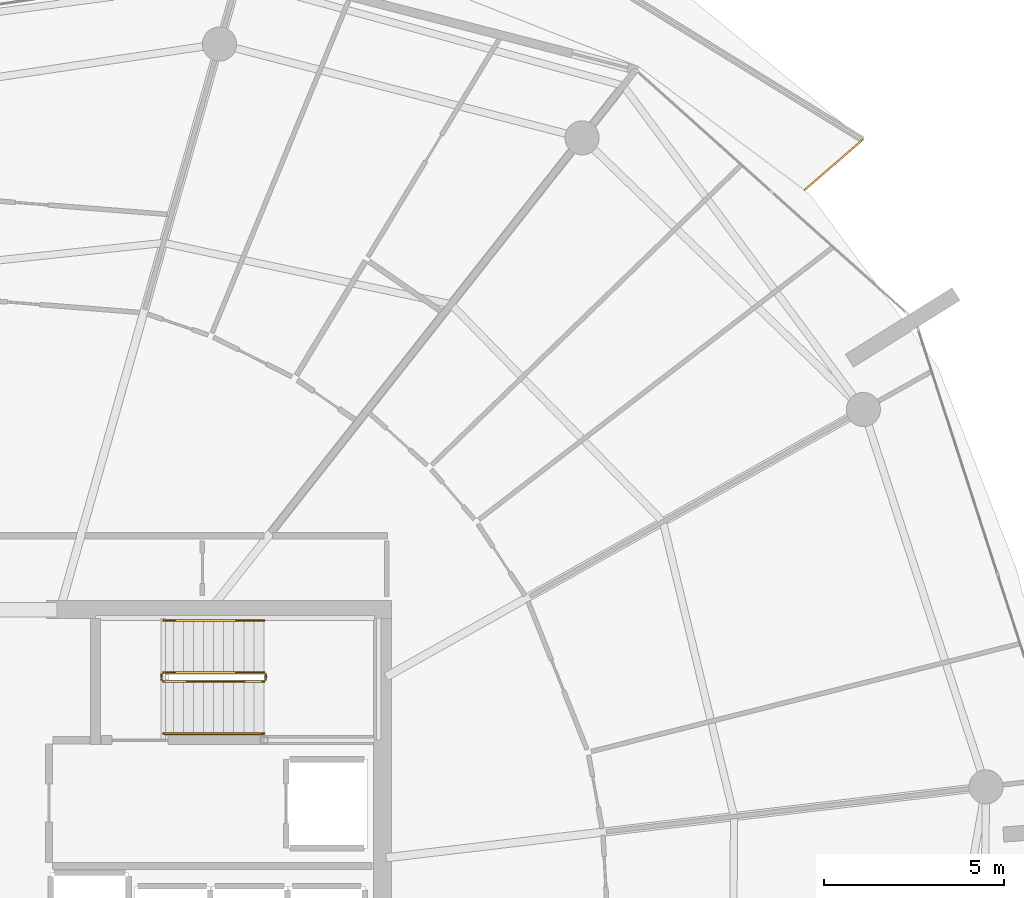
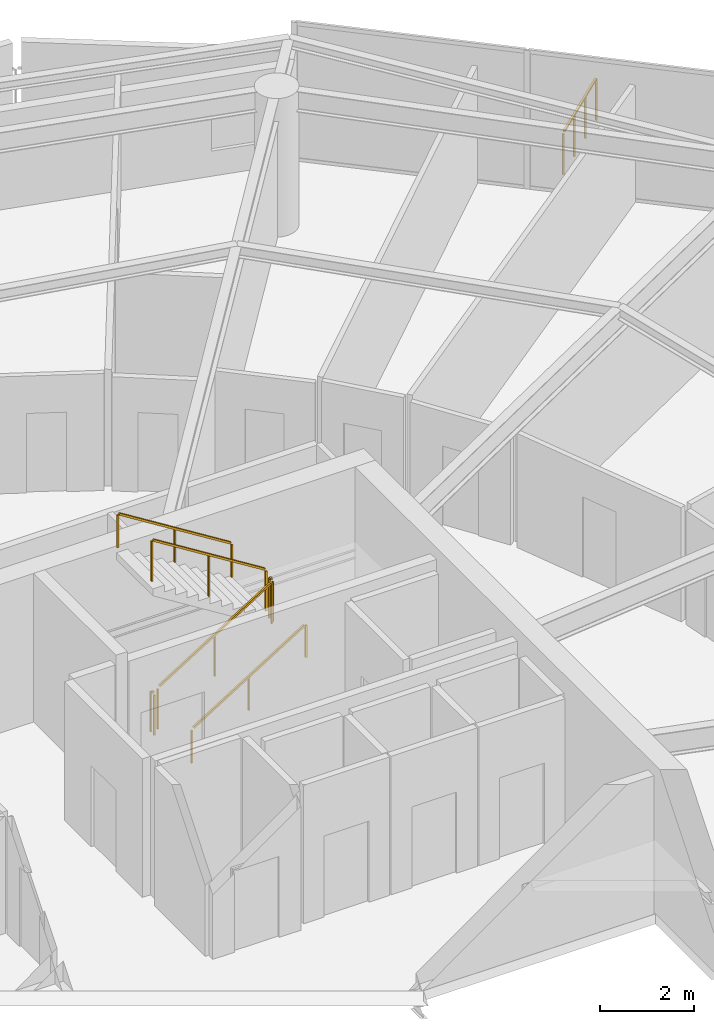
# One storey, part 28 of 29: 7 railings.
"""IFC4 building model written with IfcOpenShell, lengths in metres."""

from ifc_helpers import new_model, si_unit, direction, frame, origin, origin_2d, place, context, subcontext, project, spatial, rectangle, extrude, material, type_object, element, save


model = new_model("IFC4")

# Units and contexts
model_context = context("Model", 3, precision=1e-05, world=origin(), true_north=direction((0.0, 1.0)))
body_context = subcontext(model_context, "Body", "Model", "MODEL_VIEW")
ifc_project = project(units=[si_unit("LENGTHUNIT", "METRE"), si_unit("AREAUNIT", "SQUARE_METRE"), si_unit("VOLUMEUNIT", "CUBIC_METRE"), si_unit("PLANEANGLEUNIT", "RADIAN"), si_unit("MASSUNIT", "GRAM", prefix="KILO")], contexts=[model_context])

# Site, building, storey
site_placement = place(None, origin())
site = spatial("IfcSite", under=ifc_project, at=site_placement, CompositionType="ELEMENT")
building_placement = place(site_placement, origin())
building = spatial("IfcBuilding", under=site, at=building_placement, Name="Kazma Halo Residences", CompositionType="ELEMENT")
storey_placement = place(building_placement, frame((0.0, 0.0, 286.75)))
storey = spatial("IfcBuildingStorey", under=building, at=storey_placement, Name="L72", CompositionType="ELEMENT", Elevation=286.75)

# Railings
ifc_material_1 = material(Name="Aluminium AW-6063 T6 Brushed Cap Rail", Category="aluminium")
railing_type_1 = type_object("IfcRailingType", Name="RLG-BAL-CAP-1120", PredefinedType="BALUSTRADE", material=ifc_material_1)
railing_1_placement = place(storey_placement, frame((71.0400390625, 61.9228515625, 0.0)))
element("IfcRailing", 1, at=railing_1_placement, inside=storey, type_object=railing_type_1, Name="L72 NE wave balcony guard 1", PredefinedType="BALUSTRADE", context=body_context, shape_type="SweptSolid", body=[
    extrude(rectangle(XDim=0.050048828125, YDim=0.050048828125, at=origin_2d()), frame((0.0322265625, 0.02783203125, 1.09521484375), z_axis=(0.756418334569, 0.654088146299, 0.0), x_axis=(-0.654088146299, 0.756418334569, 0.0)), (0.0, 0.0, 1.0), 2.04541015625),
    extrude(rectangle(XDim=0.0400390625, YDim=0.0400390625, at=origin_2d()), origin(), (0.0, 0.0, 1.0), 1.05810546875),
    extrude(rectangle(XDim=0.0400390625, YDim=0.0400390625, at=origin_2d()), frame((0.537109375, 0.464599609375, 0.0)), (0.0, 0.0, 1.0), 1.05810546875),
    extrude(rectangle(XDim=0.0400390625, YDim=0.0400390625, at=origin_2d()), frame((1.074462890625, 0.928955078125, 0.0)), (0.0, 0.0, 1.0), 1.05810546875),
    extrude(rectangle(XDim=0.0400390625, YDim=0.0400390625, at=origin_2d()), frame((1.611572265625, 1.3935546875, 0.0)), (0.0, 0.0, 1.0), 1.05810546875),
])
ifc_material_2 = material(Name="Painted Steel S355", Category="steel")
railing_type_2 = type_object("IfcRailingType", Name="RLG-STAIR-GRD-1100", PredefinedType="GUARDRAIL", material=ifc_material_2)
railing_2_placement = place(storey_placement, frame((53.199951171875, 48.25, 0.175048828125)))
element("IfcRailing", 2, at=railing_2_placement, inside=storey, type_object=railing_type_2, Name="L72 ST-02 stair guard 1", PredefinedType="GUARDRAIL", context=body_context, shape_type="SweptSolid", body=[
    extrude(rectangle(XDim=0.050048828125, YDim=0.050048828125, at=origin_2d()), frame((0.0361328125, 0.0, 1.09765625), z_axis=(0.848002457836, 0.0, 0.529992293815), x_axis=(0.0, 1.0, 0.0)), (0.0, 0.0, 1.0), 3.216796875),
    extrude(rectangle(XDim=0.0400390625, YDim=0.0400390625, at=origin_2d()), origin(), (0.0, 0.0, 1.0), 1.0380859375),
    extrude(rectangle(XDim=0.0400390625, YDim=0.0400390625, at=origin_2d()), frame((1.39990234375, 0.0, 0.875)), (0.0, 0.0, 1.0), 1.0380859375),
    extrude(rectangle(XDim=0.0400390625, YDim=0.0400390625, at=origin_2d()), frame((2.800048828125, 0.0, 1.75)), (0.0, 0.0, 1.0), 1.0380859375),
])
railing_3_placement = place(storey_placement, frame((56.050048828125, 48.300048828125, 1.925048828125)))
element("IfcRailing", 3, at=railing_3_placement, inside=storey, type_object=railing_type_2, Name="L72 ST-02 stair guard 2", PredefinedType="GUARDRAIL", context=body_context, shape_type="SweptSolid", body=[
    extrude(rectangle(XDim=0.050048828125, YDim=0.050048828125, at=origin_2d()), frame((0.0, 0.04248046875, 1.0751953125), z_axis=(0.0, 1.0, 0.0), x_axis=(-1.0, 0.0, 0.0)), (0.0, 0.0, 1.0), 0.06494140625),
    extrude(rectangle(XDim=0.0400390625, YDim=0.0400390625, at=origin_2d()), origin(), (0.0, 0.0, 1.0), 1.0380859375),
    extrude(rectangle(XDim=0.0400390625, YDim=0.0400390625, at=origin_2d()), frame((0.0, 0.14990234375, 0.0)), (0.0, 0.0, 1.0), 1.0380859375),
])
railing_4_placement = place(storey_placement, frame((56.0, 48.5, 2.10009765625)))
element("IfcRailing", 4, at=railing_4_placement, inside=storey, type_object=railing_type_2, Name="L72 ST-02 stair guard 3", PredefinedType="GUARDRAIL", context=body_context, shape_type="SweptSolid", body=[
    extrude(rectangle(XDim=0.050048828125, YDim=0.050048828125, at=origin_2d()), frame((-0.0361328125, 0.0, 1.09765625), z_axis=(-0.848002457836, 0.0, 0.529992293815), x_axis=(0.0, -1.0, 0.0)), (0.0, 0.0, 1.0), 3.216796875),
    extrude(rectangle(XDim=0.0400390625, YDim=0.0400390625, at=origin_2d()), origin(), (0.0, 0.0, 1.0), 1.0380859375),
    extrude(rectangle(XDim=0.0400390625, YDim=0.0400390625, at=origin_2d()), frame((-1.39990234375, 0.0, 0.875)), (0.0, 0.0, 1.0), 1.0380859375),
    extrude(rectangle(XDim=0.0400390625, YDim=0.0400390625, at=origin_2d()), frame((-2.800048828125, 0.0, 1.75)), (0.0, 0.0, 1.0), 1.0380859375),
])
railing_5_placement = place(storey_placement, frame((53.14990234375, 48.300048828125, 0.0)))
element("IfcRailing", 5, at=railing_5_placement, inside=storey, type_object=railing_type_2, Name="L72 ST-02 stair guard 4", PredefinedType="GUARDRAIL", context=body_context, shape_type="SweptSolid", body=[
    extrude(rectangle(XDim=0.050048828125, YDim=0.050048828125, at=origin_2d()), frame((0.0, 0.04248046875, 1.0751953125), z_axis=(0.0, 1.0, 0.0), x_axis=(-1.0, 0.0, 0.0)), (0.0, 0.0, 1.0), 0.06494140625),
    extrude(rectangle(XDim=0.0400390625, YDim=0.0400390625, at=origin_2d()), origin(), (0.0, 0.0, 1.0), 1.0380859375),
    extrude(rectangle(XDim=0.0400390625, YDim=0.0400390625, at=origin_2d()), frame((0.0, 0.14990234375, 0.0)), (0.0, 0.0, 1.0), 1.0380859375),
])
ifc_material_3 = material(Name="Brushed Stainless Steel", Category="steel")
railing_type_3 = type_object("IfcRailingType", Name="RLG-STAIR-HND-900", PredefinedType="HANDRAIL", material=ifc_material_3)
railing_6_placement = place(storey_placement, frame((53.199951171875, 46.800048828125, 0.175048828125)))
element("IfcRailing", 6, at=railing_6_placement, inside=storey, type_object=railing_type_3, Name="L72 ST-02 stair handrail 1", PredefinedType="HANDRAIL", context=body_context, shape_type="SweptSolid", body=[
    extrude(rectangle(XDim=0.050048828125, YDim=0.050048828125, at=origin_2d()), frame((0.0361328125, 0.0, 0.8974609375), z_axis=(0.848002457836, 0.0, 0.529992293815), x_axis=(0.0, 1.0, 0.0)), (0.0, 0.0, 1.0), 3.216796875),
    extrude(rectangle(XDim=0.0400390625, YDim=0.0400390625, at=origin_2d()), origin(), (0.0, 0.0, 1.0), 0.837890625),
    extrude(rectangle(XDim=0.0400390625, YDim=0.0400390625, at=origin_2d()), frame((1.39990234375, 0.0, 0.875)), (0.0, 0.0, 1.0), 0.837890625),
    extrude(rectangle(XDim=0.0400390625, YDim=0.0400390625, at=origin_2d()), frame((2.800048828125, 0.0, 1.75)), (0.0, 0.0, 1.0), 0.837890625),
])
railing_7_placement = place(storey_placement, frame((56.0, 49.949951171875, 2.10009765625)))
element("IfcRailing", 7, at=railing_7_placement, inside=storey, type_object=railing_type_3, Name="L72 ST-02 stair handrail 2", PredefinedType="HANDRAIL", context=body_context, shape_type="SweptSolid", body=[
    extrude(rectangle(XDim=0.050048828125, YDim=0.050048828125, at=origin_2d()), frame((-0.0361328125, 0.0, 0.8974609375), z_axis=(-0.848002457836, 0.0, 0.529992293815), x_axis=(0.0, -1.0, 0.0)), (0.0, 0.0, 1.0), 3.216796875),
    extrude(rectangle(XDim=0.0400390625, YDim=0.0400390625, at=origin_2d()), origin(), (0.0, 0.0, 1.0), 0.837890625),
    extrude(rectangle(XDim=0.0400390625, YDim=0.0400390625, at=origin_2d()), frame((-1.39990234375, 0.0, 0.875)), (0.0, 0.0, 1.0), 0.837890625),
    extrude(rectangle(XDim=0.0400390625, YDim=0.0400390625, at=origin_2d()), frame((-2.800048828125, 0.0, 1.75)), (0.0, 0.0, 1.0), 0.837890625),
])

save(model, "model.ifc")
